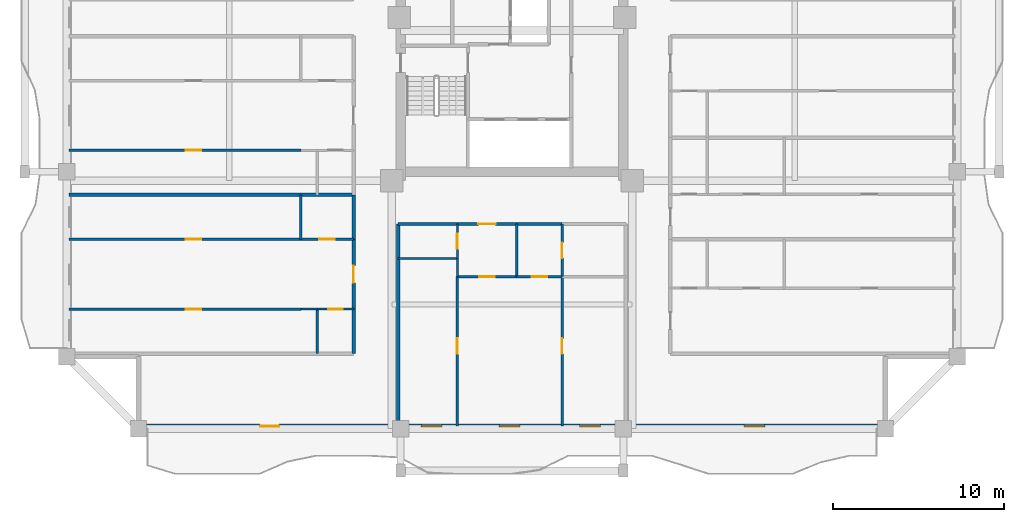
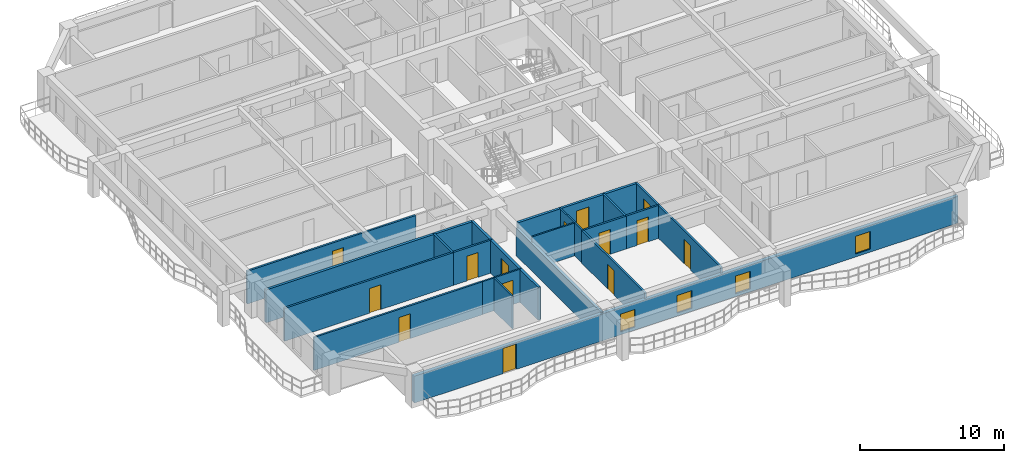
# One storey, part 2 of 14: 26 walls, 14 doors, 4 windows, 18 openings.
"""IFC4 building model written with IfcOpenShell, lengths in metres."""

from ifc_helpers import new_model, si_unit, direction, frame, frame_2d, origin, place, context, subcontext, project, spatial, rectangle, extrude, source, transform, mapped, material, layer, layer_set, type_object, element, fill, save


model = new_model("IFC4")

# Units and contexts
model_context = context("Model", 3, precision=1e-05, world=origin(), true_north=direction((0.0, 1.0)))
body_context = subcontext(model_context, "Body", "Model", "MODEL_VIEW")
ifc_project = project(units=[si_unit("LENGTHUNIT", "METRE"), si_unit("AREAUNIT", "SQUARE_METRE"), si_unit("VOLUMEUNIT", "CUBIC_METRE"), si_unit("PLANEANGLEUNIT", "RADIAN"), si_unit("MASSUNIT", "GRAM", prefix="KILO")], contexts=[model_context])

# Site, building, storey
site_placement = place(None, origin())
site = spatial("IfcSite", under=ifc_project, at=site_placement, CompositionType="ELEMENT")
building_placement = place(site_placement, origin())
building = spatial("IfcBuilding", under=site, at=building_placement, Name="Saelheon Loggia Tower", CompositionType="ELEMENT")
storey_placement = place(building_placement, frame((0.0, 0.0, 113.85009765625)))
storey = spatial("IfcBuildingStorey", under=building, at=storey_placement, Name="L36", CompositionType="ELEMENT", Elevation=113.85009765625)

# Wall, openings, windows, door
ifc_material_1 = material(Name="Architectural Precast Concrete C40/50", Category="concrete")
ifc_layer_1 = layer(ifc_material_1, 0.280029296875)
ifc_layer_set_1 = layer_set([ifc_layer_1], Name="Architectural Precast Concrete C40/50")
wall_type_1 = type_object("IfcWallType", Name="Wall_Ext_Loggia_280", PredefinedType="SOLIDWALL", material=ifc_layer_set_1)
wall_1_placement = place(storey_placement, frame((16.199951171875, 3.139892578125, 0.0), z_axis=(0.0, 0.0, 1.0), x_axis=(1.0, 0.0, 0.0)))
wall_1 = element("IfcWall", 1, at=wall_1_placement, inside=storey, type_object=wall_type_1, Name="L36 South Loggia Inner Wall", PredefinedType="SOLIDWALL", context=body_context, shape_type="SweptSolid", body=[
    extrude(rectangle(XDim=43.60009765625, YDim=0.280029296875, at=frame_2d((21.800048828125, 0.0))), origin(), (0.0, 0.0, 1.0), 2.27978515625),
])
opening_1_placement = place(wall_1_placement, frame((8.2001953125, 0.0, 0.0), z_axis=(0.0, 0.0, 1.0), x_axis=(-1.0, 0.0, 0.0)))
opening_1 = element("IfcOpeningElement", 2, at=opening_1_placement, cuts=wall_1, Name="Opening TD1", PredefinedType="OPENING", context=body_context, shape_type="SweptSolid", body=[
    extrude(rectangle(XDim=1.10009765625, YDim=2.14990234375, at=frame_2d((0.550048828125, 1.074951171875))), frame((0.0, 0.152099609375, 0.0), z_axis=(0.0, -1.0, 0.0), x_axis=(1.0, 0.0, 0.0)), (0.0, 0.0, 1.0), 0.303955078125),
])
opening_2_placement = place(wall_1_placement, frame((16.511474609375, 0.0, 0.25)))
opening_2 = element("IfcOpeningElement", 3, at=opening_2_placement, cuts=wall_1, Name="Opening WN-03", PredefinedType="OPENING", context=body_context, shape_type="SweptSolid", body=[
    extrude(rectangle(XDim=1.199951171875, YDim=1.5, at=frame_2d((0.60009765625, 0.75))), frame((0.0, 0.152099609375, 0.0), z_axis=(0.0, -1.0, 0.0), x_axis=(1.0, 0.0, 0.0)), (0.0, 0.0, 1.0), 0.303955078125),
])
opening_3_placement = place(wall_1_placement, frame((21.0654296875, 0.0, 0.25)))
opening_3 = element("IfcOpeningElement", 4, at=opening_3_placement, cuts=wall_1, Name="Opening WN-03", PredefinedType="OPENING", context=body_context, shape_type="SweptSolid", body=[
    extrude(rectangle(XDim=1.199951171875, YDim=1.5, at=frame_2d((0.60009765625, 0.75))), frame((0.0, 0.152099609375, 0.0), z_axis=(0.0, -1.0, 0.0), x_axis=(1.0, 0.0, 0.0)), (0.0, 0.0, 1.0), 0.303955078125),
])
opening_4_placement = place(wall_1_placement, frame((25.75390625, 0.0, 0.25)))
opening_4 = element("IfcOpeningElement", 5, at=opening_4_placement, cuts=wall_1, Name="Opening WN-03", PredefinedType="OPENING", context=body_context, shape_type="SweptSolid", body=[
    extrude(rectangle(XDim=1.199951171875, YDim=1.5, at=frame_2d((0.60009765625, 0.75))), frame((0.0, 0.152099609375, 0.0), z_axis=(0.0, -1.0, 0.0), x_axis=(1.0, 0.0, 0.0)), (0.0, 0.0, 1.0), 0.303955078125),
])
opening_5_placement = place(wall_1_placement, frame((35.35009765625, 0.0, 0.25)))
opening_5 = element("IfcOpeningElement", 6, at=opening_5_placement, cuts=wall_1, Name="Opening WN-03", PredefinedType="OPENING", context=body_context, shape_type="SweptSolid", body=[
    extrude(rectangle(XDim=1.199951171875, YDim=1.5, at=frame_2d((0.60009765625, 0.75))), frame((0.0, 0.152099609375, 0.0), z_axis=(0.0, -1.0, 0.0), x_axis=(1.0, 0.0, 0.0)), (0.0, 0.0, 1.0), 0.303955078125),
])
ifc_material_2 = material(Name="Thermal-Break Aluminium and Triple Low-E Glass", Category="aluminium")
window_type = type_object("IfcWindowType", Name="Win_Bedroom_1200x1500", PartitioningType="SINGLE_PANEL", PredefinedType="WINDOW", material=ifc_material_2)
shared_shape_1 = source(origin(), body_context, "Body", "SweptSolid", [
    extrude(rectangle(XDim=1.199951171875, YDim=1.5, at=frame_2d((0.60009765625, 0.75))), frame((0.0, 0.030029296875, 0.0), z_axis=(0.0, -1.0, 0.0), x_axis=(1.0, 0.0, 0.0)), (0.0, 0.0, 1.0), 0.06005859375),
])
window_1_placement = place(opening_2_placement, origin())
window_1 = element("IfcWindow", 7, at=window_1_placement, inside=storey, type_object=window_type, Name="L36 S Dwelling Window 2", OverallHeight=1.5, OverallWidth=1.199951171875, PartitioningType="SINGLE_PANEL", PredefinedType="WINDOW", context=body_context, shape_type="MappedRepresentation", body=[
    mapped(shared_shape_1, transform((0.0, 0.0, 0.0), scale=1.0)),
])
fill(opening_2, window_1)
window_2_placement = place(opening_3_placement, origin())
window_2 = element("IfcWindow", 8, at=window_2_placement, inside=storey, type_object=window_type, Name="L36 S Dwelling Window 3", OverallHeight=1.5, OverallWidth=1.199951171875, PartitioningType="SINGLE_PANEL", PredefinedType="WINDOW", context=body_context, shape_type="MappedRepresentation", body=[
    mapped(shared_shape_1, transform((0.0, 0.0, 0.0), scale=1.0)),
])
fill(opening_3, window_2)
window_3_placement = place(opening_4_placement, origin())
window_3 = element("IfcWindow", 9, at=window_3_placement, inside=storey, type_object=window_type, Name="L36 S Dwelling Window 4", OverallHeight=1.5, OverallWidth=1.199951171875, PartitioningType="SINGLE_PANEL", PredefinedType="WINDOW", context=body_context, shape_type="MappedRepresentation", body=[
    mapped(shared_shape_1, transform((0.0, 0.0, 0.0), scale=1.0)),
])
fill(opening_4, window_3)
window_4_placement = place(opening_5_placement, origin())
window_4 = element("IfcWindow", 10, at=window_4_placement, inside=storey, type_object=window_type, Name="L36 S Dwelling Window 5", OverallHeight=1.5, OverallWidth=1.199951171875, PartitioningType="SINGLE_PANEL", PredefinedType="WINDOW", context=body_context, shape_type="MappedRepresentation", body=[
    mapped(shared_shape_1, transform((0.0, 0.0, 0.0), scale=1.0)),
])
fill(opening_5, window_4)
ifc_material_3 = material(Name="Thermal-Break Aluminium Glazed Door", Category="aluminium")
door_type_1 = type_object("IfcDoorType", Name="Door_Terrace_TD1", OperationType="NOTDEFINED", PredefinedType="DOOR", material=ifc_material_3)
shared_shape_2 = source(origin(), body_context, "Body", "SweptSolid", [
    extrude(rectangle(XDim=1.10009765625, YDim=2.14990234375, at=frame_2d((0.550048828125, 1.074951171875))), frame((0.0, 0.02490234375, 0.0), z_axis=(0.0, -1.0, 0.0), x_axis=(1.0, 0.0, 0.0)), (0.0, 0.0, 1.0), 0.050048828125),
])
door_1_placement = place(opening_1_placement, origin())
door_1 = element("IfcDoor", 11, at=door_1_placement, inside=storey, type_object=door_type_1, Name="L36 S Loggia Access Door", OperationType="SINGLE_SWING_LEFT", OverallHeight=2.14990234375, OverallWidth=1.10009765625, PredefinedType="DOOR", context=body_context, shape_type="MappedRepresentation", body=[
    mapped(shared_shape_2, transform((0.0, 0.0, 0.0), scale=1.0)),
])
fill(opening_1, door_1)

# Wall
ifc_material_4 = material(Name="Lightweight Autoclaved Aerated Concrete Block and Acoustic Gypsum", Category="concrete")
ifc_layer_2 = layer(ifc_material_4, 0.14990234375)
ifc_layer_set_2 = layer_set([ifc_layer_2], Name="Lightweight Autoclaved Aerated Concrete Block and Acoustic Gypsum")
wall_type_2 = type_object("IfcWallType", Name="Wall_Part_150", PredefinedType="PARTITIONING", material=ifc_layer_set_2)
wall_2_placement = place(storey_placement, frame((38.27294921875, 14.949951171875, 0.0), z_axis=(0.0, 0.0, 1.0), x_axis=(0.0, -1.0, 0.0)))
element("IfcWall", 12, at=wall_2_placement, inside=storey, type_object=wall_type_2, Name="L36 S Partition U06", PredefinedType="PARTITIONING", context=body_context, shape_type="SweptSolid", body=[
    extrude(rectangle(XDim=3.079833984375, YDim=0.14990234375, at=frame_2d((1.5400390625, 0.0))), origin(), (0.0, 0.0, 1.0), 2.789794921875),
])

# Wall, opening, door
wall_3_placement = place(storey_placement, frame((34.80810546875, 11.8701171875, 0.0), z_axis=(0.0, 0.0, 1.0), x_axis=(1.0, 0.0, 0.0)))
wall_3 = element("IfcWall", 13, at=wall_3_placement, inside=storey, type_object=wall_type_2, Name="L36 S Partition V07", PredefinedType="PARTITIONING", context=body_context, shape_type="SweptSolid", body=[
    extrude(rectangle(XDim=3.46484375, YDim=0.14990234375, at=frame_2d((1.732421875, 0.0))), origin(), (0.0, 0.0, 1.0), 2.789794921875),
])
opening_6_placement = place(wall_3_placement, frame((1.282470703125, 0.0, 0.0)))
opening_6 = element("IfcOpeningElement", 14, at=opening_6_placement, cuts=wall_3, Name="Opening D-IN2", PredefinedType="OPENING", context=body_context, shape_type="SweptSolid", body=[
    extrude(rectangle(XDim=0.89990234375, YDim=2.10009765625, at=frame_2d((0.449951171875, 1.050048828125))), frame((0.0, 0.0869140625, 0.0), z_axis=(0.0, -1.0, 0.0), x_axis=(1.0, 0.0, 0.0)), (0.0, 0.0, 1.0), 0.173828125),
])
ifc_material_5 = material(Name="Engineered Oak Flush Door", Category="timber")
door_type_2 = type_object("IfcDoorType", Name="Door_Int_900", OperationType="NOTDEFINED", PredefinedType="DOOR", material=ifc_material_5)
shared_shape_3 = source(origin(), body_context, "Body", "SweptSolid", [
    extrude(rectangle(XDim=0.89990234375, YDim=2.10009765625, at=frame_2d((0.449951171875, 1.050048828125))), frame((0.0, 0.02490234375, 0.0), z_axis=(0.0, -1.0, 0.0), x_axis=(1.0, 0.0, 0.0)), (0.0, 0.0, 1.0), 0.050048828125),
])
door_2_placement = place(opening_6_placement, origin())
door_2 = element("IfcDoor", 15, at=door_2_placement, inside=storey, type_object=door_type_2, Name="Unit U01 Living Door", OperationType="SINGLE_SWING_LEFT", OverallHeight=2.10009765625, OverallWidth=0.89990234375, PredefinedType="DOOR", context=body_context, shape_type="MappedRepresentation", body=[
    mapped(shared_shape_3, transform((0.0, 0.0, 0.0), scale=1.0)),
])
fill(opening_6, door_2)

wall_4_placement = place(storey_placement, frame((38.27294921875, 11.8701171875, 0.0), z_axis=(0.0, 0.0, 1.0), x_axis=(1.0, 0.0, 0.0)))
wall_4 = element("IfcWall", 16, at=wall_4_placement, inside=storey, type_object=wall_type_2, Name="L36 S Partition V08", PredefinedType="PARTITIONING", context=body_context, shape_type="SweptSolid", body=[
    extrude(rectangle(XDim=2.64990234375, YDim=0.14990234375, at=frame_2d((1.324951171875, 0.0))), origin(), (0.0, 0.0, 1.0), 2.789794921875),
])
opening_7_placement = place(wall_4_placement, frame((0.875, 0.0, 0.0)))
opening_7 = element("IfcOpeningElement", 17, at=opening_7_placement, cuts=wall_4, Name="Opening D-IN2", PredefinedType="OPENING", context=body_context, shape_type="SweptSolid", body=[
    extrude(rectangle(XDim=0.89990234375, YDim=2.10009765625, at=frame_2d((0.449951171875, 1.050048828125))), frame((0.0, 0.0869140625, 0.0), z_axis=(0.0, -1.0, 0.0), x_axis=(1.0, 0.0, 0.0)), (0.0, 0.0, 1.0), 0.173828125),
])
door_3_placement = place(opening_7_placement, origin())
door_3 = element("IfcDoor", 18, at=door_3_placement, inside=storey, type_object=door_type_2, Name="Unit U01 Music Hobby Studio Door", OperationType="SINGLE_SWING_RIGHT", OverallHeight=2.10009765625, OverallWidth=0.89990234375, PredefinedType="DOOR", context=body_context, shape_type="MappedRepresentation", body=[
    mapped(shared_shape_3, transform((0.0, 0.0, 0.0), scale=1.0)),
])
fill(opening_7, door_3)

wall_5_placement = place(storey_placement, frame((34.80810546875, 11.8701171875, 0.0), z_axis=(0.0, 0.0, 1.0), x_axis=(0.0, -1.0, 0.0)))
wall_5 = element("IfcWall", 19, at=wall_5_placement, inside=storey, type_object=wall_type_2, Name="L36 S Partition U14", PredefinedType="PARTITIONING", context=body_context, shape_type="SweptSolid", body=[
    extrude(rectangle(XDim=8.72021484375, YDim=0.14990234375, at=frame_2d((4.360107421875, 0.0))), origin(), (0.0, 0.0, 1.0), 2.789794921875),
])
opening_8_placement = place(wall_5_placement, frame((3.604248046875, 0.0, 0.0)))
opening_8 = element("IfcOpeningElement", 20, at=opening_8_placement, cuts=wall_5, Name="Opening D-IN2", PredefinedType="OPENING", context=body_context, shape_type="SweptSolid", body=[
    extrude(rectangle(XDim=0.89990234375, YDim=2.10009765625, at=frame_2d((0.449951171875, 1.050048828125))), frame((0.0, 0.0869140625, 0.0), z_axis=(0.0, -1.0, 0.0), x_axis=(1.0, 0.0, 0.0)), (0.0, 0.0, 1.0), 0.173828125),
])
door_4_placement = place(opening_8_placement, origin())
door_4 = element("IfcDoor", 21, at=door_4_placement, inside=storey, type_object=door_type_2, Name="Unit U01 Bedroom 2 Door", OperationType="SINGLE_SWING_RIGHT", OverallHeight=2.10009765625, OverallWidth=0.89990234375, PredefinedType="DOOR", context=body_context, shape_type="MappedRepresentation", body=[
    mapped(shared_shape_3, transform((0.0, 0.0, 0.0), scale=1.0)),
])
fill(opening_8, door_4)

wall_6_placement = place(storey_placement, frame((40.9228515625, 14.949951171875, 0.0), z_axis=(0.0, 0.0, 1.0), x_axis=(0.0, -1.0, 0.0)))
wall_6 = element("IfcWall", 22, at=wall_6_placement, inside=storey, type_object=wall_type_2, Name="L36 S Partition U15", PredefinedType="PARTITIONING", context=body_context, shape_type="SweptSolid", body=[
    extrude(rectangle(XDim=3.079833984375, YDim=0.14990234375, at=frame_2d((1.5400390625, 0.0))), origin(), (0.0, 0.0, 1.0), 2.789794921875),
])
opening_9_placement = place(wall_6_placement, frame((1.090087890625, 0.0, 0.0)))
opening_9 = element("IfcOpeningElement", 23, at=opening_9_placement, cuts=wall_6, Name="Opening D-IN2", PredefinedType="OPENING", context=body_context, shape_type="SweptSolid", body=[
    extrude(rectangle(XDim=0.89990234375, YDim=2.10009765625, at=frame_2d((0.449951171875, 1.050048828125))), frame((0.0, 0.0869140625, 0.0), z_axis=(0.0, -1.0, 0.0), x_axis=(1.0, 0.0, 0.0)), (0.0, 0.0, 1.0), 0.173828125),
])
door_5_placement = place(opening_9_placement, origin())
door_5 = element("IfcDoor", 24, at=door_5_placement, inside=storey, type_object=door_type_2, Name="Unit U01 Kitchen Door", OperationType="SINGLE_SWING_LEFT", OverallHeight=2.10009765625, OverallWidth=0.89990234375, PredefinedType="DOOR", context=body_context, shape_type="MappedRepresentation", body=[
    mapped(shared_shape_3, transform((0.0, 0.0, 0.0), scale=1.0)),
])
fill(opening_9, door_5)

wall_7_placement = place(storey_placement, frame((40.9228515625, 11.8701171875, 0.0), z_axis=(0.0, 0.0, 1.0), x_axis=(0.0, -1.0, 0.0)))
wall_7 = element("IfcWall", 25, at=wall_7_placement, inside=storey, type_object=wall_type_2, Name="L36 S Partition U16", PredefinedType="PARTITIONING", context=body_context, shape_type="SweptSolid", body=[
    extrude(rectangle(XDim=8.72021484375, YDim=0.14990234375, at=frame_2d((4.360107421875, 0.0))), origin(), (0.0, 0.0, 1.0), 2.789794921875),
])
opening_10_placement = place(wall_7_placement, frame((3.604248046875, 0.0, 0.0)))
opening_10 = element("IfcOpeningElement", 26, at=opening_10_placement, cuts=wall_7, Name="Opening D-IN2", PredefinedType="OPENING", context=body_context, shape_type="SweptSolid", body=[
    extrude(rectangle(XDim=0.89990234375, YDim=2.10009765625, at=frame_2d((0.449951171875, 1.050048828125))), frame((0.0, 0.0869140625, 0.0), z_axis=(0.0, -1.0, 0.0), x_axis=(1.0, 0.0, 0.0)), (0.0, 0.0, 1.0), 0.173828125),
])
door_6_placement = place(opening_10_placement, origin())
door_6 = element("IfcDoor", 27, at=door_6_placement, inside=storey, type_object=door_type_2, Name="Unit U01 Bedroom 1 Door", OperationType="SINGLE_SWING_RIGHT", OverallHeight=2.10009765625, OverallWidth=0.89990234375, PredefinedType="DOOR", context=body_context, shape_type="MappedRepresentation", body=[
    mapped(shared_shape_3, transform((0.0, 0.0, 0.0), scale=1.0)),
])
fill(opening_10, door_6)

# Wall
wall_8_placement = place(storey_placement, frame((25.669921875, 14.050048828125, 0.0), z_axis=(0.0, 0.0, 1.0), x_axis=(0.0, 1.0, 0.0)))
element("IfcWall", 28, at=wall_8_placement, inside=storey, type_object=wall_type_2, Name="L36 WS Partition V07", PredefinedType="PARTITIONING", context=body_context, shape_type="SweptSolid", body=[
    extrude(rectangle(XDim=2.599853515625, YDim=0.14990234375, at=frame_2d((1.2998046875, 0.0))), origin(), (0.0, 0.0, 1.0), 2.789794921875),
])

# Wall, opening, door
wall_9_placement = place(storey_placement, frame((25.669921875, 9.9755859375, 0.0), z_axis=(0.0, 0.0, 1.0), x_axis=(-1.0, 0.0, 0.0)))
wall_9 = element("IfcWall", 29, at=wall_9_placement, inside=storey, type_object=wall_type_2, Name="L36 WS Partition U10", PredefinedType="PARTITIONING", context=body_context, shape_type="SweptSolid", body=[
    extrude(rectangle(XDim=13.52001953125, YDim=0.14990234375, at=frame_2d((6.760009765625, 0.0))), origin(), (0.0, 0.0, 1.0), 2.789794921875),
])
opening_11_placement = place(wall_9_placement, frame((5.80419921875, 0.0, 0.0)))
opening_11 = element("IfcOpeningElement", 30, at=opening_11_placement, cuts=wall_9, Name="Opening D-IN2", PredefinedType="OPENING", context=body_context, shape_type="SweptSolid", body=[
    extrude(rectangle(XDim=0.89990234375, YDim=2.10009765625, at=frame_2d((0.449951171875, 1.050048828125))), frame((0.0, 0.0869140625, 0.0), z_axis=(0.0, -1.0, 0.0), x_axis=(1.0, 0.0, 0.0)), (0.0, 0.0, 1.0), 0.173828125),
])
door_7_placement = place(opening_11_placement, origin())
door_7 = element("IfcDoor", 31, at=door_7_placement, inside=storey, type_object=door_type_2, Name="Unit U05 Kitchen Door", OperationType="SINGLE_SWING_LEFT", OverallHeight=2.10009765625, OverallWidth=0.89990234375, PredefinedType="DOOR", context=body_context, shape_type="MappedRepresentation", body=[
    mapped(shared_shape_3, transform((0.0, 0.0, 0.0), scale=1.0)),
])
fill(opening_11, door_7)

wall_10_placement = place(storey_placement, frame((28.75, 14.050048828125, 0.0), z_axis=(0.0, 0.0, 1.0), x_axis=(-1.0, 0.0, 0.0)))
wall_10 = element("IfcWall", 32, at=wall_10_placement, inside=storey, type_object=wall_type_2, Name="L36 WS Partition U11", PredefinedType="PARTITIONING", context=body_context, shape_type="SweptSolid", body=[
    extrude(rectangle(XDim=3.080078125, YDim=0.14990234375, at=frame_2d((1.5400390625, 0.0))), origin(), (0.0, 0.0, 1.0), 2.789794921875),
])
opening_12_placement = place(wall_10_placement, frame((1.090087890625, 0.0, 0.0)))
opening_12 = element("IfcOpeningElement", 33, at=opening_12_placement, cuts=wall_10, Name="Opening D-IN2", PredefinedType="OPENING", context=body_context, shape_type="SweptSolid", body=[
    extrude(rectangle(XDim=0.89990234375, YDim=2.10009765625, at=frame_2d((0.449951171875, 1.050048828125))), frame((0.0, 0.0869140625, 0.0), z_axis=(0.0, -1.0, 0.0), x_axis=(1.0, 0.0, 0.0)), (0.0, 0.0, 1.0), 0.173828125),
])
door_8_placement = place(opening_12_placement, origin())
door_8 = element("IfcDoor", 34, at=door_8_placement, inside=storey, type_object=door_type_2, Name="Unit U05 Dressing Closet Door", OperationType="SINGLE_SWING_RIGHT", OverallHeight=2.10009765625, OverallWidth=0.89990234375, PredefinedType="DOOR", context=body_context, shape_type="MappedRepresentation", body=[
    mapped(shared_shape_3, transform((0.0, 0.0, 0.0), scale=1.0)),
])
fill(opening_12, door_8)

wall_11_placement = place(storey_placement, frame((25.669921875, 14.050048828125, 0.0), z_axis=(0.0, 0.0, 1.0), x_axis=(-1.0, 0.0, 0.0)))
wall_11 = element("IfcWall", 35, at=wall_11_placement, inside=storey, type_object=wall_type_2, Name="L36 WS Partition U12", PredefinedType="PARTITIONING", context=body_context, shape_type="SweptSolid", body=[
    extrude(rectangle(XDim=13.52001953125, YDim=0.14990234375, at=frame_2d((6.760009765625, 0.0))), origin(), (0.0, 0.0, 1.0), 2.789794921875),
])
opening_13_placement = place(wall_11_placement, frame((5.80419921875, 0.0, 0.0)))
opening_13 = element("IfcOpeningElement", 36, at=opening_13_placement, cuts=wall_11, Name="Opening D-IN2", PredefinedType="OPENING", context=body_context, shape_type="SweptSolid", body=[
    extrude(rectangle(XDim=0.89990234375, YDim=2.10009765625, at=frame_2d((0.449951171875, 1.050048828125))), frame((0.0, 0.0869140625, 0.0), z_axis=(0.0, -1.0, 0.0), x_axis=(1.0, 0.0, 0.0)), (0.0, 0.0, 1.0), 0.173828125),
])
door_9_placement = place(opening_13_placement, origin())
door_9 = element("IfcDoor", 37, at=door_9_placement, inside=storey, type_object=door_type_2, Name="Unit U05 Bedroom 1 Door", OperationType="SINGLE_SWING_LEFT", OverallHeight=2.10009765625, OverallWidth=0.89990234375, PredefinedType="DOOR", context=body_context, shape_type="MappedRepresentation", body=[
    mapped(shared_shape_3, transform((0.0, 0.0, 0.0), scale=1.0)),
])
fill(opening_13, door_9)

wall_12_placement = place(storey_placement, frame((25.669921875, 19.24560546875, 0.0), z_axis=(0.0, 0.0, 1.0), x_axis=(-1.0, 0.0, 0.0)))
wall_12 = element("IfcWall", 38, at=wall_12_placement, inside=storey, type_object=wall_type_2, Name="L36 WS Partition U21", PredefinedType="PARTITIONING", context=body_context, shape_type="SweptSolid", body=[
    extrude(rectangle(XDim=13.52001953125, YDim=0.14990234375, at=frame_2d((6.760009765625, 0.0))), origin(), (0.0, 0.0, 1.0), 2.789794921875),
])
opening_14_placement = place(wall_12_placement, frame((5.80419921875, 0.0, 0.0)))
opening_14 = element("IfcOpeningElement", 39, at=opening_14_placement, cuts=wall_12, Name="Opening D-IN2", PredefinedType="OPENING", context=body_context, shape_type="SweptSolid", body=[
    extrude(rectangle(XDim=0.89990234375, YDim=2.10009765625, at=frame_2d((0.449951171875, 1.050048828125))), frame((0.0, 0.0869140625, 0.0), z_axis=(0.0, -1.0, 0.0), x_axis=(1.0, 0.0, 0.0)), (0.0, 0.0, 1.0), 0.173828125),
])
door_10_placement = place(opening_14_placement, origin())
door_10 = element("IfcDoor", 40, at=door_10_placement, inside=storey, type_object=door_type_2, Name="Unit U06 Kitchen Door", OperationType="SINGLE_SWING_RIGHT", OverallHeight=2.10009765625, OverallWidth=0.89990234375, PredefinedType="DOOR", context=body_context, shape_type="MappedRepresentation", body=[
    mapped(shared_shape_3, transform((0.0, 0.0, 0.0), scale=1.0)),
])
fill(opening_14, door_10)

# Walls
ifc_material_6 = material(Name="Double Acoustic Stud and Fireboard Partition", Category="gypsum")
ifc_layer_3 = layer(ifc_material_6, 0.199951171875)
ifc_layer_set_3 = layer_set([ifc_layer_3], Name="Double Acoustic Stud and Fireboard Partition")
wall_type_3 = type_object("IfcWallType", Name="Wall_Party_200", PredefinedType="PARTITIONING", material=ifc_layer_set_3)
wall_13_placement = place(storey_placement, frame((31.35009765625, 14.949951171875, 0.0), z_axis=(0.0, 0.0, 1.0), x_axis=(0.0, -1.0, 0.0)))
element("IfcWall", 41, at=wall_13_placement, inside=storey, type_object=wall_type_3, Name="L36 S Partition U01", PredefinedType="PARTITIONING", context=body_context, shape_type="SweptSolid", body=[
    extrude(rectangle(XDim=11.800048828125, YDim=0.199951171875, at=frame_2d((5.89990234375, 0.0))), origin(), (0.0, 0.0, 1.0), 2.33984375),
])
wall_14_placement = place(storey_placement, frame((31.35009765625, 14.949951171875, 0.0), z_axis=(0.0, 0.0, 1.0), x_axis=(1.0, 0.0, 0.0)))
element("IfcWall", 42, at=wall_14_placement, inside=storey, type_object=wall_type_3, Name="L36 S Partition V03", PredefinedType="PARTITIONING", context=body_context, shape_type="SweptSolid", body=[
    extrude(rectangle(XDim=3.4580078125, YDim=0.199951171875, at=frame_2d((1.72900390625, 0.0))), origin(), (0.0, 0.0, 1.0), 2.789794921875),
])

# Wall, opening, door
wall_15_placement = place(storey_placement, frame((34.80810546875, 14.949951171875, 0.0), z_axis=(0.0, 0.0, 1.0), x_axis=(1.0, 0.0, 0.0)))
wall_15 = element("IfcWall", 43, at=wall_15_placement, inside=storey, type_object=wall_type_3, Name="L36 S Partition V04", PredefinedType="PARTITIONING", context=body_context, shape_type="SweptSolid", body=[
    extrude(rectangle(XDim=3.46484375, YDim=0.199951171875, at=frame_2d((1.732421875, 0.0))), origin(), (0.0, 0.0, 1.0), 2.789794921875),
])
opening_15_placement = place(wall_15_placement, frame((1.232421875, 0.0, 0.0)))
opening_15 = element("IfcOpeningElement", 44, at=opening_15_placement, cuts=wall_15, Name="Opening D-FD1", PredefinedType="OPENING", context=body_context, shape_type="SweptSolid", body=[
    extrude(rectangle(XDim=1.0, YDim=2.14990234375, at=frame_2d((0.5, 1.074951171875))), frame((0.0, 0.112060546875, 0.0), z_axis=(0.0, -1.0, 0.0), x_axis=(1.0, 0.0, 0.0)), (0.0, 0.0, 1.0), 0.223876953125),
])
ifc_material_7 = material(Name="Fire-Rated Engineered Timber Entrance Door", Category="wood")
door_type_3 = type_object("IfcDoorType", Name="Door_Flat_FD30S", OperationType="NOTDEFINED", PredefinedType="DOOR", material=ifc_material_7)
shared_shape_4 = source(origin(), body_context, "Body", "SweptSolid", [
    extrude(rectangle(XDim=1.0, YDim=2.14990234375, at=frame_2d((0.5, 1.074951171875))), frame((0.0, 0.02490234375, 0.0), z_axis=(0.0, -1.0, 0.0), x_axis=(1.0, 0.0, 0.0)), (0.0, 0.0, 1.0), 0.050048828125),
])
door_11_placement = place(opening_15_placement, origin())
door_11 = element("IfcDoor", 45, at=door_11_placement, inside=storey, type_object=door_type_3, Name="Unit U01 Entrance Door", OperationType="SINGLE_SWING_RIGHT", OverallHeight=2.14990234375, OverallWidth=1.0, PredefinedType="DOOR", context=body_context, shape_type="MappedRepresentation", body=[
    mapped(shared_shape_4, transform((0.0, 0.0, 0.0), scale=1.0)),
])
fill(opening_15, door_11)

# Walls
wall_16_placement = place(storey_placement, frame((38.27294921875, 14.949951171875, 0.0), z_axis=(0.0, 0.0, 1.0), x_axis=(1.0, 0.0, 0.0)))
element("IfcWall", 46, at=wall_16_placement, inside=storey, type_object=wall_type_3, Name="L36 S Partition V05", PredefinedType="PARTITIONING", context=body_context, shape_type="SweptSolid", body=[
    extrude(rectangle(XDim=2.64990234375, YDim=0.199951171875, at=frame_2d((1.324951171875, 0.0))), origin(), (0.0, 0.0, 1.0), 2.789794921875),
])
wall_17_placement = place(storey_placement, frame((28.75, 7.3798828125, 0.0), z_axis=(0.0, 0.0, 1.0), x_axis=(0.0, 1.0, 0.0)))
element("IfcWall", 47, at=wall_17_placement, inside=storey, type_object=wall_type_3, Name="L36 WS Partition V03", PredefinedType="PARTITIONING", context=body_context, shape_type="SweptSolid", body=[
    extrude(rectangle(XDim=2.595703125, YDim=0.199951171875, at=frame_2d((1.2978515625, 0.0))), origin(), (0.0, 0.0, 1.0), 2.789794921875),
])

# Wall, opening, door
wall_18_placement = place(storey_placement, frame((28.75, 9.9755859375, 0.0), z_axis=(0.0, 0.0, 1.0), x_axis=(0.0, 1.0, 0.0)))
wall_18 = element("IfcWall", 48, at=wall_18_placement, inside=storey, type_object=wall_type_3, Name="L36 WS Partition V04", PredefinedType="PARTITIONING", context=body_context, shape_type="SweptSolid", body=[
    extrude(rectangle(XDim=4.074462890625, YDim=0.199951171875, at=frame_2d((2.037109375, 0.0))), origin(), (0.0, 0.0, 1.0), 2.789794921875),
])
opening_16_placement = place(wall_18_placement, frame((1.537109375, 0.0, 0.0)))
opening_16 = element("IfcOpeningElement", 49, at=opening_16_placement, cuts=wall_18, Name="Opening D-FD1", PredefinedType="OPENING", context=body_context, shape_type="SweptSolid", body=[
    extrude(rectangle(XDim=1.0, YDim=2.14990234375, at=frame_2d((0.5, 1.074951171875))), frame((0.0, 0.112060546875, 0.0), z_axis=(0.0, -1.0, 0.0), x_axis=(1.0, 0.0, 0.0)), (0.0, 0.0, 1.0), 0.223876953125),
])
door_12_placement = place(opening_16_placement, origin())
door_12 = element("IfcDoor", 50, at=door_12_placement, inside=storey, type_object=door_type_3, Name="Unit U05 Entrance Door", OperationType="SINGLE_SWING_LEFT", OverallHeight=2.14990234375, OverallWidth=1.0, PredefinedType="DOOR", context=body_context, shape_type="MappedRepresentation", body=[
    mapped(shared_shape_4, transform((0.0, 0.0, 0.0), scale=1.0)),
])
fill(opening_16, door_12)

# Walls
wall_19_placement = place(storey_placement, frame((28.75, 14.050048828125, 0.0), z_axis=(0.0, 0.0, 1.0), x_axis=(0.0, 1.0, 0.0)))
element("IfcWall", 51, at=wall_19_placement, inside=storey, type_object=wall_type_3, Name="L36 WS Partition V05", PredefinedType="PARTITIONING", context=body_context, shape_type="SweptSolid", body=[
    extrude(rectangle(XDim=2.599853515625, YDim=0.199951171875, at=frame_2d((1.2998046875, 0.0))), origin(), (0.0, 0.0, 1.0), 2.789794921875),
])
wall_20_placement = place(storey_placement, frame((28.75, 16.64990234375, 0.0), z_axis=(0.0, 0.0, 1.0), x_axis=(-1.0, 0.0, 0.0)))
element("IfcWall", 52, at=wall_20_placement, inside=storey, type_object=wall_type_3, Name="L36 WS Partition U13", PredefinedType="PARTITIONING", context=body_context, shape_type="SweptSolid", body=[
    extrude(rectangle(XDim=16.60009765625, YDim=0.199951171875, at=frame_2d((8.300048828125, 0.0))), origin(), (0.0, 0.0, 1.0), 2.789794921875),
])
ifc_material_8 = material(Name="Moisture-Resistant Cement Board Partition", Category="gypsum")
ifc_layer_4 = layer(ifc_material_8, 0.1201171875)
ifc_layer_set_4 = layer_set([ifc_layer_4], Name="Moisture-Resistant Cement Board Partition")
wall_type_4 = type_object("IfcWallType", Name="Wall_WetPart_120", PredefinedType="PARTITIONING", material=ifc_layer_set_4)
wall_21_placement = place(storey_placement, frame((31.35009765625, 12.929931640625, 0.0), z_axis=(0.0, 0.0, 1.0), x_axis=(1.0, 0.0, 0.0)))
element("IfcWall", 53, at=wall_21_placement, inside=storey, type_object=wall_type_4, Name="L36 S Partition V10", PredefinedType="PARTITIONING", context=body_context, shape_type="SweptSolid", body=[
    extrude(rectangle(XDim=3.4580078125, YDim=0.1201171875, at=frame_2d((1.72900390625, 0.0))), origin(), (0.0, 0.0, 1.0), 2.789794921875),
])

# Wall, opening, door
wall_22_placement = place(storey_placement, frame((34.80810546875, 14.949951171875, 0.0), z_axis=(0.0, 0.0, 1.0), x_axis=(0.0, -1.0, 0.0)))
wall_22 = element("IfcWall", 54, at=wall_22_placement, inside=storey, type_object=wall_type_4, Name="L36 S Partition U12", PredefinedType="PARTITIONING", context=body_context, shape_type="SweptSolid", body=[
    extrude(rectangle(XDim=2.02001953125, YDim=0.1201171875, at=frame_2d((1.010009765625, 0.0))), origin(), (0.0, 0.0, 1.0), 2.789794921875),
])
opening_17_placement = place(wall_22_placement, frame((0.5849609375, 0.0, 0.0)))
opening_17 = element("IfcOpeningElement", 55, at=opening_17_placement, cuts=wall_22, Name="Opening D-BT1", PredefinedType="OPENING", context=body_context, shape_type="SweptSolid", body=[
    extrude(rectangle(XDim=0.85009765625, YDim=2.050048828125, at=frame_2d((0.425048828125, 1.02490234375))), frame((0.0, 0.072021484375, 0.0), z_axis=(0.0, -1.0, 0.0), x_axis=(1.0, 0.0, 0.0)), (0.0, 0.0, 1.0), 0.14404296875),
])
ifc_material_9 = material(Name="Moisture-Resistant Laminate Timber Door", Category="wood")
door_type_4 = type_object("IfcDoorType", Name="Door_Bath_850", OperationType="NOTDEFINED", PredefinedType="DOOR", material=ifc_material_9)
shared_shape_5 = source(origin(), body_context, "Body", "SweptSolid", [
    extrude(rectangle(XDim=0.85009765625, YDim=2.050048828125, at=frame_2d((0.425048828125, 1.02490234375))), frame((0.0, 0.02490234375, 0.0), z_axis=(0.0, -1.0, 0.0), x_axis=(1.0, 0.0, 0.0)), (0.0, 0.0, 1.0), 0.050048828125),
])
door_13_placement = place(opening_17_placement, origin())
door_13 = element("IfcDoor", 56, at=door_13_placement, inside=storey, type_object=door_type_4, Name="Unit U01 Bathroom Door", OperationType="SINGLE_SWING_LEFT", OverallHeight=2.050048828125, OverallWidth=0.85009765625, PredefinedType="DOOR", context=body_context, shape_type="MappedRepresentation", body=[
    mapped(shared_shape_5, transform((0.0, 0.0, 0.0), scale=1.0)),
])
fill(opening_17, door_13)

# Walls
wall_23_placement = place(storey_placement, frame((34.80810546875, 12.929931640625, 0.0), z_axis=(0.0, 0.0, 1.0), x_axis=(0.0, -1.0, 0.0)))
element("IfcWall", 57, at=wall_23_placement, inside=storey, type_object=wall_type_4, Name="L36 S Partition U13", PredefinedType="PARTITIONING", context=body_context, shape_type="SweptSolid", body=[
    extrude(rectangle(XDim=1.059814453125, YDim=0.1201171875, at=frame_2d((0.52978515625, 0.0))), origin(), (0.0, 0.0, 1.0), 2.789794921875),
])
wall_24_placement = place(storey_placement, frame((26.6298828125, 7.3798828125, 0.0), z_axis=(0.0, 0.0, 1.0), x_axis=(0.0, 1.0, 0.0)))
element("IfcWall", 58, at=wall_24_placement, inside=storey, type_object=wall_type_4, Name="L36 WS Partition V06", PredefinedType="PARTITIONING", context=body_context, shape_type="SweptSolid", body=[
    extrude(rectangle(XDim=2.595703125, YDim=0.1201171875, at=frame_2d((1.2978515625, 0.0))), origin(), (0.0, 0.0, 1.0), 2.789794921875),
])

# Wall, opening, door
wall_25_placement = place(storey_placement, frame((28.75, 9.9755859375, 0.0), z_axis=(0.0, 0.0, 1.0), x_axis=(-1.0, 0.0, 0.0)))
wall_25 = element("IfcWall", 59, at=wall_25_placement, inside=storey, type_object=wall_type_4, Name="L36 WS Partition U08", PredefinedType="PARTITIONING", context=body_context, shape_type="SweptSolid", body=[
    extrude(rectangle(XDim=2.1201171875, YDim=0.1201171875, at=frame_2d((1.06005859375, 0.0))), origin(), (0.0, 0.0, 1.0), 2.789794921875),
])
opening_18_placement = place(wall_25_placement, frame((0.635009765625, 0.0, 0.0)))
opening_18 = element("IfcOpeningElement", 60, at=opening_18_placement, cuts=wall_25, Name="Opening D-BT1", PredefinedType="OPENING", context=body_context, shape_type="SweptSolid", body=[
    extrude(rectangle(XDim=0.85009765625, YDim=2.050048828125, at=frame_2d((0.425048828125, 1.02490234375))), frame((0.0, 0.072021484375, 0.0), z_axis=(0.0, -1.0, 0.0), x_axis=(1.0, 0.0, 0.0)), (0.0, 0.0, 1.0), 0.14404296875),
])
door_14_placement = place(opening_18_placement, origin())
door_14 = element("IfcDoor", 61, at=door_14_placement, inside=storey, type_object=door_type_4, Name="Unit U05 Bathroom Door", OperationType="SINGLE_SWING_RIGHT", OverallHeight=2.050048828125, OverallWidth=0.85009765625, PredefinedType="DOOR", context=body_context, shape_type="MappedRepresentation", body=[
    mapped(shared_shape_5, transform((0.0, 0.0, 0.0), scale=1.0)),
])
fill(opening_18, door_14)

# Wall
wall_26_placement = place(storey_placement, frame((26.6298828125, 9.9755859375, 0.0), z_axis=(0.0, 0.0, 1.0), x_axis=(-1.0, 0.0, 0.0)))
element("IfcWall", 62, at=wall_26_placement, inside=storey, type_object=wall_type_4, Name="L36 WS Partition U09", PredefinedType="PARTITIONING", context=body_context, shape_type="SweptSolid", body=[
    extrude(rectangle(XDim=0.9599609375, YDim=0.1201171875, at=frame_2d((0.47998046875, 0.0))), origin(), (0.0, 0.0, 1.0), 2.789794921875),
])

save(model, "model.ifc")
